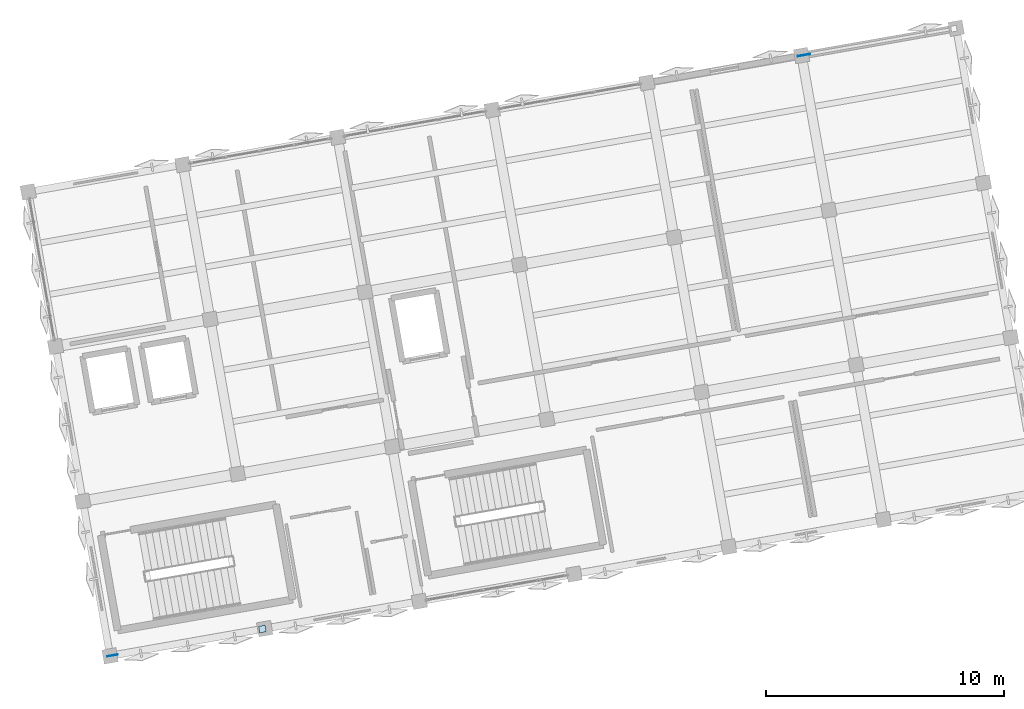
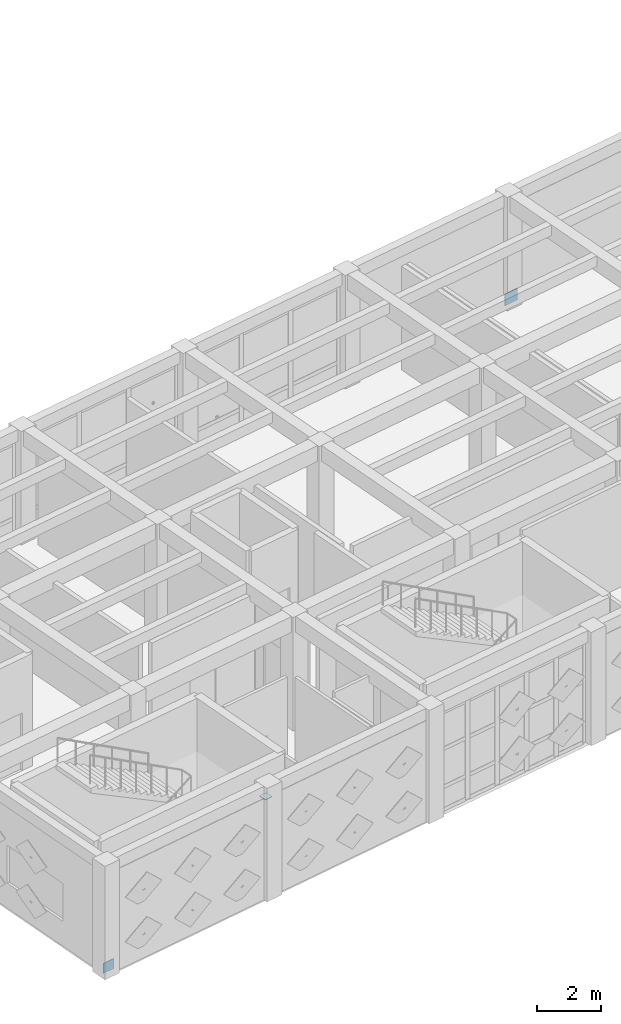
# One storey, part 23 of 36: 3 plates.
"""IFC4 building model written with IfcOpenShell, lengths in metres."""

from ifc_helpers import new_model, si_unit, direction, frame, origin, origin_2d, place, context, subcontext, project, spatial, rectangle, extrude, material, layer, layer_set, type_object, element, save


model = new_model("IFC4")

# Units and contexts
model_context = context("Model", 3, precision=1e-05, world=origin(), true_north=direction((0.0, 1.0)))
body_context = subcontext(model_context, "Body", "Model", "MODEL_VIEW")
ifc_project = project(units=[si_unit("LENGTHUNIT", "METRE"), si_unit("AREAUNIT", "SQUARE_METRE"), si_unit("VOLUMEUNIT", "CUBIC_METRE"), si_unit("PLANEANGLEUNIT", "RADIAN"), si_unit("MASSUNIT", "GRAM", prefix="KILO")], contexts=[model_context])

# Site, building, storey
site_placement = place(None, origin())
site = spatial("IfcSite", under=ifc_project, at=site_placement, CompositionType="ELEMENT")
building_placement = place(site_placement, origin())
building = spatial("IfcBuilding", under=site, at=building_placement, Name="Kharisveld Research Institute", CompositionType="ELEMENT")
storey_placement = place(building_placement, frame((0.0, 0.0, 27.60009765625)))
storey = spatial("IfcBuildingStorey", under=building, at=storey_placement, Name="L06", CompositionType="ELEMENT", Elevation=27.60009765625)

# Plates
ifc_material_1 = material(Name="Steel S355JR", Category="steel")
ifc_layer_1 = layer(ifc_material_1, 0.02197265625)
ifc_layer_set_1 = layer_set([ifc_layer_1], Name="PL_CAP_C")
plate_type_1 = type_object("IfcPlateType", Name="PL_CAP_C", PredefinedType="SHEET", material=ifc_layer_set_1)
plate_1_placement = place(storey_placement, frame((11.601318359375, 36.138671875, 3.759033203125), z_axis=(0.0, 0.0, 1.0), x_axis=(0.984807753012, 0.173648177667, 0.0)))
element("IfcPlate", 1, at=plate_1_placement, inside=storey, type_object=plate_type_1, Name="PLT:V1:L06:CAP_0_0", PredefinedType="SHEET", context=body_context, shape_type="SweptSolid", body=[
    extrude(rectangle(XDim=0.280029296875, YDim=0.280029296875, at=origin_2d()), origin(), (0.0, 0.0, 1.0), 0.02197265625),
])
ifc_material_2 = material(Name="Steel S355JR", Category="steel")
ifc_layer_2 = layer(ifc_material_2, 0.02392578125)
ifc_layer_set_2 = layer_set([ifc_layer_2], Name="PL_GUS_C")
plate_type_2 = type_object("IfcPlateType", Name="PL_GUS_C", PredefinedType="USERDEFINED", material=ifc_layer_set_2)
plate_2_placement = place(storey_placement, frame((5.298583984375, 35.02734375, 0.010009765625), z_axis=(0.0, 0.0, 1.0), x_axis=(0.984807753012, 0.173648177667, 0.0)))
element("IfcPlate", 2, at=plate_2_placement, inside=storey, type_object=plate_type_2, Name="PLT:V1:L06:GUS_0_0", ObjectType="GUSSET PLATE", PredefinedType="USERDEFINED", context=body_context, shape_type="SweptSolid", body=[
    extrude(rectangle(XDim=0.43994140625, YDim=0.02392578125, at=origin_2d()), origin(), (0.0, 0.0, 1.0), 0.3798828125),
])
ifc_material_3 = material(Name="Steel S355JR", Category="steel")
ifc_layer_3 = layer(ifc_material_3, 0.028076171875)
ifc_layer_set_3 = layer_set([ifc_layer_3], Name="PL_GUS_D")
plate_type_3 = type_object("IfcPlateType", Name="PL_GUS_D", PredefinedType="USERDEFINED", material=ifc_layer_set_3)
plate_3_placement = place(storey_placement, frame((34.35888671875, 60.2568359375, -0.02001953125), z_axis=(0.0, 0.0, 1.0), x_axis=(0.984807753012, 0.173648177667, 0.0)))
element("IfcPlate", 3, at=plate_3_placement, inside=storey, type_object=plate_type_3, Name="PLT:V1:L06:GUS_5_3", ObjectType="GUSSET PLATE", PredefinedType="USERDEFINED", context=body_context, shape_type="SweptSolid", body=[
    extrude(rectangle(XDim=0.52001953125, YDim=0.028076171875, at=origin_2d()), origin(), (0.0, 0.0, 1.0), 0.43994140625),
])

save(model, "model.ifc")
